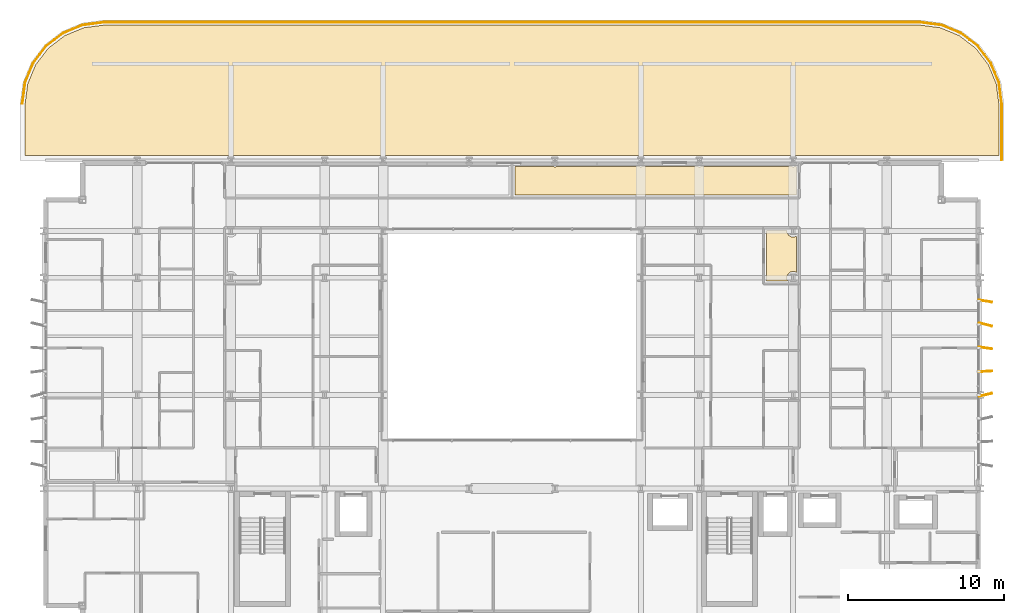
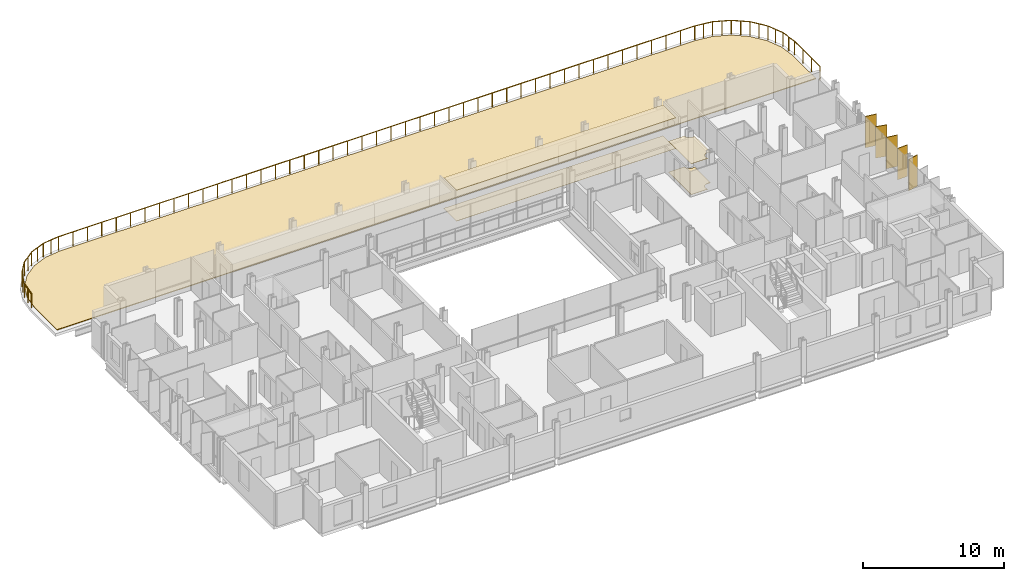
# One storey, part 38 of 38: 5 coverings, 5 shading devices, 1 railing.
"""IFC4 building model written with IfcOpenShell, lengths in metres."""

from ifc_helpers import new_model, si_unit, direction, frame, origin, origin_2d, place, context, subcontext, project, spatial, polyline, rectangle, circle, outline, extrude, material, layer, layer_set, type_object, element, save


model = new_model("IFC4")

# Units and contexts
model_context = context("Model", 3, precision=1e-05, world=origin(), true_north=direction((0.0, 1.0)))
body_context = subcontext(model_context, "Body", "Model", "MODEL_VIEW")
ifc_project = project(units=[si_unit("LENGTHUNIT", "METRE"), si_unit("AREAUNIT", "SQUARE_METRE"), si_unit("VOLUMEUNIT", "CUBIC_METRE"), si_unit("PLANEANGLEUNIT", "RADIAN"), si_unit("MASSUNIT", "GRAM", prefix="KILO")], contexts=[model_context])

# Site, building, storey
site_placement = place(None, origin())
site = spatial("IfcSite", under=ifc_project, at=site_placement, CompositionType="ELEMENT")
building_placement = place(site_placement, origin())
building = spatial("IfcBuilding", under=site, at=building_placement, Name="Brevholm Reach", CompositionType="ELEMENT")
storey_placement = place(building_placement, frame((0.0, 0.0, 28.0)))
storey = spatial("IfcBuildingStorey", under=building, at=storey_placement, Name="L06", CompositionType="ELEMENT", Elevation=28.0)

# Coverings
ifc_material_1 = material(Name="Perforated Mineral-Fibre Class-A Acoustic Suspended Ceiling", Category="gypsum")
ifc_layer_1 = layer(ifc_material_1, 0.044921875)
ifc_layer_set_1 = layer_set([ifc_layer_1], Name="Perforated Mineral-Fibre Class-A Acoustic Suspended Ceiling")
covering_type_1 = type_object("IfcCoveringType", Name="COV-CLG-AC", PredefinedType="CEILING", material=ifc_layer_set_1)
covering_1_placement = place(storey_placement, frame((0.0, 0.0, 2.655029296875)))
element("IfcCovering", 1, at=covering_1_placement, inside=storey, type_object=covering_type_1, Name="L06 Suspended Ceiling L06-72", PredefinedType="CEILING", context=body_context, shape_type="SweptSolid", body=[
    extrude(outline(polyline([(32.626220703125, 30.6201171875), (32.6337890625, 30.6171875), (32.672119140625, 30.607666015625), (32.710693359375, 30.601806640625), (32.75, 30.60009765625), (32.789306640625, 30.601806640625), (32.827880859375, 30.607666015625), (32.8662109375, 30.6171875), (32.873779296875, 30.6201171875), (38.126220703125, 30.6201171875), (38.1337890625, 30.6171875), (38.172119140625, 30.607666015625), (38.210693359375, 30.601806640625), (38.25, 30.60009765625), (38.289306640625, 30.601806640625), (38.327880859375, 30.607666015625), (38.3662109375, 30.6171875), (38.373779296875, 30.6201171875), (41.876220703125, 30.6201171875), (41.8837890625, 30.6171875), (41.922119140625, 30.607666015625), (41.960693359375, 30.601806640625), (42.0, 30.60009765625), (42.039306640625, 30.601806640625), (42.077880859375, 30.607666015625), (42.1162109375, 30.6171875), (42.123779296875, 30.6201171875), (47.876220703125, 30.6201171875), (47.8837890625, 30.6171875), (47.922119140625, 30.607666015625), (47.960693359375, 30.601806640625), (48.0, 30.60009765625), (48.039306640625, 30.601806640625), (48.077880859375, 30.607666015625), (48.1162109375, 30.6171875), (48.123779296875, 30.6201171875), (48.216064453125, 30.6201171875), (48.216064453125, 28.783935546875), (30.18408203125, 28.783935546875), (30.18408203125, 30.6201171875), (32.626220703125, 30.6201171875)])), origin(), (0.0, 0.0, 1.0), 0.044921875),
])
ifc_material_2 = material(Name="Moisture-Resistant Skimmed Gypsum Plasterboard Ceiling", Category="gypsum")
ifc_layer_2 = layer(ifc_material_2, 0.030029296875)
ifc_layer_set_2 = layer_set([ifc_layer_2], Name="Moisture-Resistant Skimmed Gypsum Plasterboard Ceiling")
covering_type_2 = type_object("IfcCoveringType", Name="COV-CLG-GYP", PredefinedType="CEILING", material=ifc_layer_set_2)
covering_2_placement = place(storey_placement, frame((0.0, 0.0, 2.669921875)))
element("IfcCovering", 2, at=covering_2_placement, inside=storey, type_object=covering_type_2, Name="L06 Suspended Ceiling L06-58", PredefinedType="CEILING", context=body_context, shape_type="SweptSolid", body=[
    extrude(outline(polyline([(46.2919921875, 26.51611328125), (47.600830078125, 26.51611328125), (47.60009765625, 26.5), (47.601806640625, 26.460693359375), (47.607666015625, 26.422119140625), (47.6171875, 26.3837890625), (47.63037109375, 26.346923828125), (47.647216796875, 26.311279296875), (47.66748046875, 26.27783203125), (47.69091796875, 26.24609375), (47.71728515625, 26.21728515625), (47.74609375, 26.19091796875), (47.77783203125, 26.16748046875), (47.811279296875, 26.147216796875), (47.846923828125, 26.13037109375), (47.8837890625, 26.1171875), (47.922119140625, 26.107666015625), (47.960693359375, 26.101806640625), (48.0, 26.10009765625), (48.039306640625, 26.101806640625), (48.077880859375, 26.107666015625), (48.1162109375, 26.1171875), (48.153076171875, 26.13037109375), (48.188720703125, 26.147216796875), (48.216064453125, 26.163818359375), (48.216064453125, 23.836181640625), (48.188720703125, 23.852783203125), (48.153076171875, 23.86962890625), (48.1162109375, 23.8828125), (48.077880859375, 23.892333984375), (48.039306640625, 23.898193359375), (48.0, 23.89990234375), (47.960693359375, 23.898193359375), (47.922119140625, 23.892333984375), (47.8837890625, 23.8828125), (47.846923828125, 23.86962890625), (47.811279296875, 23.852783203125), (47.77783203125, 23.83251953125), (47.74609375, 23.80908203125), (47.71728515625, 23.78271484375), (47.69091796875, 23.75390625), (47.66748046875, 23.72216796875), (47.647216796875, 23.688720703125), (47.63037109375, 23.653076171875), (47.6171875, 23.6162109375), (47.607666015625, 23.577880859375), (47.601806640625, 23.539306640625), (47.60009765625, 23.5), (47.601806640625, 23.460693359375), (47.607666015625, 23.422119140625), (47.6171875, 23.3837890625), (47.63037109375, 23.346923828125), (47.647216796875, 23.311279296875), (47.666015625, 23.280029296875), (46.2919921875, 23.280029296875), (46.2919921875, 26.51611328125)])), origin(), (0.0, 0.0, 1.0), 0.030029296875),
])
ifc_material_3 = material(Name="Engineered European Oak Acoustic Plank Flooring", Category="timber")
ifc_layer_3 = layer(ifc_material_3, 0.02197265625)
ifc_layer_set_3 = layer_set([ifc_layer_3], Name="Engineered European Oak Acoustic Plank Flooring")
covering_type_3 = type_object("IfcCoveringType", Name="COV-FLR-OAK", PredefinedType="FLOORING", material=ifc_layer_set_3)
covering_3_placement = place(storey_placement, origin())
element("IfcCovering", 3, at=covering_3_placement, inside=storey, type_object=covering_type_3, Name="L06 Floor Finish L06-58", PredefinedType="FLOORING", context=body_context, shape_type="SweptSolid", body=[
    extrude(outline(polyline([(46.2919921875, 26.51611328125), (47.600830078125, 26.51611328125), (47.60009765625, 26.5), (47.601806640625, 26.460693359375), (47.607666015625, 26.422119140625), (47.6171875, 26.3837890625), (47.63037109375, 26.346923828125), (47.647216796875, 26.311279296875), (47.66748046875, 26.27783203125), (47.69091796875, 26.24609375), (47.71728515625, 26.21728515625), (47.74609375, 26.19091796875), (47.77783203125, 26.16748046875), (47.811279296875, 26.147216796875), (47.846923828125, 26.13037109375), (47.8837890625, 26.1171875), (47.922119140625, 26.107666015625), (47.960693359375, 26.101806640625), (48.0, 26.10009765625), (48.039306640625, 26.101806640625), (48.077880859375, 26.107666015625), (48.1162109375, 26.1171875), (48.153076171875, 26.13037109375), (48.188720703125, 26.147216796875), (48.216064453125, 26.163818359375), (48.216064453125, 23.836181640625), (48.188720703125, 23.852783203125), (48.153076171875, 23.86962890625), (48.1162109375, 23.8828125), (48.077880859375, 23.892333984375), (48.039306640625, 23.898193359375), (48.0, 23.89990234375), (47.960693359375, 23.898193359375), (47.922119140625, 23.892333984375), (47.8837890625, 23.8828125), (47.846923828125, 23.86962890625), (47.811279296875, 23.852783203125), (47.77783203125, 23.83251953125), (47.74609375, 23.80908203125), (47.71728515625, 23.78271484375), (47.69091796875, 23.75390625), (47.66748046875, 23.72216796875), (47.647216796875, 23.688720703125), (47.63037109375, 23.653076171875), (47.6171875, 23.6162109375), (47.607666015625, 23.577880859375), (47.601806640625, 23.539306640625), (47.60009765625, 23.5), (47.601806640625, 23.460693359375), (47.607666015625, 23.422119140625), (47.6171875, 23.3837890625), (47.63037109375, 23.346923828125), (47.647216796875, 23.311279296875), (47.666015625, 23.280029296875), (46.2919921875, 23.280029296875), (46.2919921875, 26.51611328125)])), origin(), (0.0, 0.0, 1.0), 0.02197265625),
])
covering_4_placement = place(storey_placement, origin())
element("IfcCovering", 4, at=covering_4_placement, inside=storey, type_object=covering_type_3, Name="L06 Floor Finish L06-72", PredefinedType="FLOORING", context=body_context, shape_type="SweptSolid", body=[
    extrude(outline(polyline([(32.626220703125, 30.6201171875), (32.6337890625, 30.6171875), (32.672119140625, 30.607666015625), (32.710693359375, 30.601806640625), (32.75, 30.60009765625), (32.789306640625, 30.601806640625), (32.827880859375, 30.607666015625), (32.8662109375, 30.6171875), (32.873779296875, 30.6201171875), (38.126220703125, 30.6201171875), (38.1337890625, 30.6171875), (38.172119140625, 30.607666015625), (38.210693359375, 30.601806640625), (38.25, 30.60009765625), (38.289306640625, 30.601806640625), (38.327880859375, 30.607666015625), (38.3662109375, 30.6171875), (38.373779296875, 30.6201171875), (41.876220703125, 30.6201171875), (41.8837890625, 30.6171875), (41.922119140625, 30.607666015625), (41.960693359375, 30.601806640625), (42.0, 30.60009765625), (42.039306640625, 30.601806640625), (42.077880859375, 30.607666015625), (42.1162109375, 30.6171875), (42.123779296875, 30.6201171875), (47.876220703125, 30.6201171875), (47.8837890625, 30.6171875), (47.922119140625, 30.607666015625), (47.960693359375, 30.601806640625), (48.0, 30.60009765625), (48.039306640625, 30.601806640625), (48.077880859375, 30.607666015625), (48.1162109375, 30.6171875), (48.123779296875, 30.6201171875), (48.216064453125, 30.6201171875), (48.216064453125, 28.783935546875), (30.18408203125, 28.783935546875), (30.18408203125, 30.6201171875), (32.626220703125, 30.6201171875)])), origin(), (0.0, 0.0, 1.0), 0.02197265625),
])
ifc_material_4 = material(Name="SBS Polymer-Modified Bitumen Waterproofing and Paver Membrane", Category="membrane")
ifc_layer_4 = layer(ifc_material_4, 0.06494140625)
ifc_layer_set_4 = layer_set([ifc_layer_4], Name="SBS Polymer-Modified Bitumen Waterproofing and Paver Membrane")
covering_type_4 = type_object("IfcCoveringType", Name="COV-ROF-65", PredefinedType="ROOFING", material=ifc_layer_set_4)
covering_5_placement = place(storey_placement, frame((0.0, 0.0, -0.030029296875)))
element("IfcCovering", 5, at=covering_5_placement, inside=storey, type_object=covering_type_4, Name="L06 Waterproof Terrace Roofing Membrane 3", PredefinedType="ROOFING", context=body_context, shape_type="SweptSolid", body=[
    extrude(outline(polyline([(-1.179931640625, 31.320068359375), (-1.179931640625, 34.5791015625), (-1.004150390625, 35.9140625), (-0.4970703125, 37.138671875), (0.309814453125, 38.190185546875), (1.361328125, 38.9970703125), (2.5859375, 39.504150390625), (3.9208984375, 39.679931640625), (56.0791015625, 39.679931640625), (57.4140625, 39.504150390625), (58.638671875, 38.9970703125), (59.690185546875, 38.190185546875), (60.4970703125, 37.138671875), (61.004150390625, 35.9140625), (61.179931640625, 34.5791015625), (61.179931640625, 31.320068359375), (-1.179931640625, 31.320068359375)])), origin(), (0.0, 0.0, 1.0), 0.06494140625),
])

# Railing
ifc_material_5 = material(Name="Brushed Stainless Steel EN 1.4401 and Laminated Glass", Category="steel")
railing_type = type_object("IfcRailingType", Name="RAL-TERR-1200", PredefinedType="BALUSTRADE", material=ifc_material_5)
railing_placement = place(storey_placement, frame((61.35009765625, 31.050048828125, 0.0)))
element("IfcRailing", 6, at=railing_placement, inside=storey, type_object=railing_type, Name="L06 Guard Balustrade RAL-L06-TERR", PredefinedType="BALUSTRADE", context=body_context, shape_type="SweptSolid", body=[
    extrude(circle(Radius=0.02392578125, at=origin_2d()), frame((0.0, 0.0, 1.17578125), z_axis=(0.0, 1.0, 0.0), x_axis=(-1.0, 0.0, 0.0)), (0.0, 0.0, 1.0), 3.599853515625),
    extrude(circle(Radius=0.02392578125, at=origin_2d()), frame((0.0, 3.599853515625, 1.17578125), z_axis=(-0.130561507967, 0.991440211328, 0.0), x_axis=(-0.991440211328, -0.130561507967, 0.0)), (0.0, 0.0, 1.0), 1.357666015625),
    extrude(circle(Radius=0.02392578125, at=origin_2d()), frame((-0.17724609375, 4.94580078125, 1.17578125), z_axis=(-0.382711820428, 0.92386777328, 0.0), x_axis=(-0.92386777328, -0.382711820428, 0.0)), (0.0, 0.0, 1.0), 1.357421875),
    extrude(circle(Radius=0.02392578125, at=origin_2d()), frame((-0.69677734375, 6.199951171875, 1.17578125), z_axis=(-0.608797726736, 0.793325486746, 0.0), x_axis=(-0.793325486746, -0.608797726736, 0.0)), (0.0, 0.0, 1.0), 1.357421875),
    extrude(circle(Radius=0.02392578125, at=origin_2d()), frame((-1.523193359375, 7.27685546875, 1.17578125), z_axis=(-0.793325486746, 0.608797726736, 0.0), x_axis=(-0.608797726736, -0.793325486746, 0.0)), (0.0, 0.0, 1.0), 1.357421875),
    extrude(circle(Radius=0.02392578125, at=origin_2d()), frame((-2.60009765625, 8.103271484375, 1.17578125), z_axis=(-0.92386777328, 0.382711820428, 0.0), x_axis=(-0.382711820428, -0.92386777328, 0.0)), (0.0, 0.0, 1.0), 1.357421875),
    extrude(circle(Radius=0.02392578125, at=origin_2d()), frame((-3.854248046875, 8.622802734375, 1.17578125), z_axis=(-0.991440211328, 0.130561507967, 0.0), x_axis=(-0.130561507967, -0.991440211328, 0.0)), (0.0, 0.0, 1.0), 1.357666015625),
    extrude(circle(Radius=0.02392578125, at=origin_2d()), frame((-5.2001953125, 8.800048828125, 1.17578125), z_axis=(-1.0, 0.0, 0.0), x_axis=(0.0, -1.0, 0.0)), (0.0, 0.0, 1.0), 52.2998046875),
    extrude(circle(Radius=0.02392578125, at=origin_2d()), frame((-57.5, 8.800048828125, 1.17578125), z_axis=(-0.991440211328, -0.130561507967, 0.0), x_axis=(0.130561507967, -0.991440211328, 0.0)), (0.0, 0.0, 1.0), 1.357666015625),
    extrude(circle(Radius=0.02392578125, at=origin_2d()), frame((-58.845947265625, 8.622802734375, 1.17578125), z_axis=(-0.92386777328, -0.382711820428, 0.0), x_axis=(0.382711820428, -0.92386777328, 0.0)), (0.0, 0.0, 1.0), 1.357421875),
    extrude(circle(Radius=0.02392578125, at=origin_2d()), frame((-60.10009765625, 8.103271484375, 1.17578125), z_axis=(-0.793325486746, -0.608797726736, 0.0), x_axis=(0.608797726736, -0.793325486746, 0.0)), (0.0, 0.0, 1.0), 1.357421875),
    extrude(circle(Radius=0.02392578125, at=origin_2d()), frame((-61.177001953125, 7.27685546875, 1.17578125), z_axis=(-0.608797726736, -0.793325486746, 0.0), x_axis=(0.793325486746, -0.608797726736, 0.0)), (0.0, 0.0, 1.0), 1.357421875),
    extrude(circle(Radius=0.02392578125, at=origin_2d()), frame((-62.00341796875, 6.199951171875, 1.17578125), z_axis=(-0.382711820428, -0.92386777328, 0.0), x_axis=(0.92386777328, -0.382711820428, 0.0)), (0.0, 0.0, 1.0), 1.357421875),
    extrude(circle(Radius=0.02392578125, at=origin_2d()), frame((-62.52294921875, 4.94580078125, 1.17578125), z_axis=(-0.130561507967, -0.991440211328, 0.0), x_axis=(0.991440211328, -0.130561507967, 0.0)), (0.0, 0.0, 1.0), 1.357666015625),
    extrude(circle(Radius=0.02099609375, at=origin_2d()), origin(), (0.0, 0.0, 1.0), 1.15185546875),
    extrude(circle(Radius=0.02099609375, at=origin_2d()), frame((0.0, 1.199951171875, 0.0)), (0.0, 0.0, 1.0), 1.15185546875),
    extrude(circle(Radius=0.02099609375, at=origin_2d()), frame((0.0, 2.39990234375, 0.0)), (0.0, 0.0, 1.0), 1.15185546875),
    extrude(circle(Radius=0.02099609375, at=origin_2d()), frame((0.0, 3.599853515625, 0.0)), (0.0, 0.0, 1.0), 1.15185546875),
    extrude(circle(Radius=0.02099609375, at=origin_2d()), frame((-0.088623046875, 4.27294921875, 0.0)), (0.0, 0.0, 1.0), 1.15185546875),
    extrude(circle(Radius=0.02099609375, at=origin_2d()), frame((-0.17724609375, 4.94580078125, 0.0)), (0.0, 0.0, 1.0), 1.15185546875),
    extrude(circle(Radius=0.02099609375, at=origin_2d()), frame((-0.43701171875, 5.57275390625, 0.0)), (0.0, 0.0, 1.0), 1.15185546875),
    extrude(circle(Radius=0.02099609375, at=origin_2d()), frame((-0.69677734375, 6.199951171875, 0.0)), (0.0, 0.0, 1.0), 1.15185546875),
    extrude(circle(Radius=0.02099609375, at=origin_2d()), frame((-1.10986328125, 6.73828125, 0.0)), (0.0, 0.0, 1.0), 1.15185546875),
    extrude(circle(Radius=0.02099609375, at=origin_2d()), frame((-1.523193359375, 7.27685546875, 0.0)), (0.0, 0.0, 1.0), 1.15185546875),
    extrude(circle(Radius=0.02099609375, at=origin_2d()), frame((-2.0615234375, 7.68994140625, 0.0)), (0.0, 0.0, 1.0), 1.15185546875),
    extrude(circle(Radius=0.02099609375, at=origin_2d()), frame((-2.60009765625, 8.103271484375, 0.0)), (0.0, 0.0, 1.0), 1.15185546875),
    extrude(circle(Radius=0.02099609375, at=origin_2d()), frame((-3.22705078125, 8.363037109375, 0.0)), (0.0, 0.0, 1.0), 1.15185546875),
    extrude(circle(Radius=0.02099609375, at=origin_2d()), frame((-3.854248046875, 8.622802734375, 0.0)), (0.0, 0.0, 1.0), 1.15185546875),
    extrude(circle(Radius=0.02099609375, at=origin_2d()), frame((-4.52734375, 8.71142578125, 0.0)), (0.0, 0.0, 1.0), 1.15185546875),
    extrude(circle(Radius=0.02099609375, at=origin_2d()), frame((-5.2001953125, 8.800048828125, 0.0)), (0.0, 0.0, 1.0), 1.15185546875),
    extrude(circle(Radius=0.02099609375, at=origin_2d()), frame((-6.388916015625, 8.800048828125, 0.0)), (0.0, 0.0, 1.0), 1.15185546875),
    extrude(circle(Radius=0.02099609375, at=origin_2d()), frame((-7.577392578125, 8.800048828125, 0.0)), (0.0, 0.0, 1.0), 1.15185546875),
    extrude(circle(Radius=0.02099609375, at=origin_2d()), frame((-8.76611328125, 8.800048828125, 0.0)), (0.0, 0.0, 1.0), 1.15185546875),
    extrude(circle(Radius=0.02099609375, at=origin_2d()), frame((-9.954833984375, 8.800048828125, 0.0)), (0.0, 0.0, 1.0), 1.15185546875),
    extrude(circle(Radius=0.02099609375, at=origin_2d()), frame((-11.143310546875, 8.800048828125, 0.0)), (0.0, 0.0, 1.0), 1.15185546875),
    extrude(circle(Radius=0.02099609375, at=origin_2d()), frame((-12.33203125, 8.800048828125, 0.0)), (0.0, 0.0, 1.0), 1.15185546875),
    extrude(circle(Radius=0.02099609375, at=origin_2d()), frame((-13.5205078125, 8.800048828125, 0.0)), (0.0, 0.0, 1.0), 1.15185546875),
    extrude(circle(Radius=0.02099609375, at=origin_2d()), frame((-14.709228515625, 8.800048828125, 0.0)), (0.0, 0.0, 1.0), 1.15185546875),
    extrude(circle(Radius=0.02099609375, at=origin_2d()), frame((-15.89794921875, 8.800048828125, 0.0)), (0.0, 0.0, 1.0), 1.15185546875),
    extrude(circle(Radius=0.02099609375, at=origin_2d()), frame((-17.08642578125, 8.800048828125, 0.0)), (0.0, 0.0, 1.0), 1.15185546875),
    extrude(circle(Radius=0.02099609375, at=origin_2d()), frame((-18.275146484375, 8.800048828125, 0.0)), (0.0, 0.0, 1.0), 1.15185546875),
    extrude(circle(Radius=0.02099609375, at=origin_2d()), frame((-19.4638671875, 8.800048828125, 0.0)), (0.0, 0.0, 1.0), 1.15185546875),
    extrude(circle(Radius=0.02099609375, at=origin_2d()), frame((-20.65234375, 8.800048828125, 0.0)), (0.0, 0.0, 1.0), 1.15185546875),
    extrude(circle(Radius=0.02099609375, at=origin_2d()), frame((-21.841064453125, 8.800048828125, 0.0)), (0.0, 0.0, 1.0), 1.15185546875),
    extrude(circle(Radius=0.02099609375, at=origin_2d()), frame((-23.02978515625, 8.800048828125, 0.0)), (0.0, 0.0, 1.0), 1.15185546875),
    extrude(circle(Radius=0.02099609375, at=origin_2d()), frame((-24.21826171875, 8.800048828125, 0.0)), (0.0, 0.0, 1.0), 1.15185546875),
    extrude(circle(Radius=0.02099609375, at=origin_2d()), frame((-25.406982421875, 8.800048828125, 0.0)), (0.0, 0.0, 1.0), 1.15185546875),
    extrude(circle(Radius=0.02099609375, at=origin_2d()), frame((-26.595458984375, 8.800048828125, 0.0)), (0.0, 0.0, 1.0), 1.15185546875),
    extrude(circle(Radius=0.02099609375, at=origin_2d()), frame((-27.7841796875, 8.800048828125, 0.0)), (0.0, 0.0, 1.0), 1.15185546875),
    extrude(circle(Radius=0.02099609375, at=origin_2d()), frame((-28.972900390625, 8.800048828125, 0.0)), (0.0, 0.0, 1.0), 1.15185546875),
    extrude(circle(Radius=0.02099609375, at=origin_2d()), frame((-30.161376953125, 8.800048828125, 0.0)), (0.0, 0.0, 1.0), 1.15185546875),
    extrude(circle(Radius=0.02099609375, at=origin_2d()), frame((-31.35009765625, 8.800048828125, 0.0)), (0.0, 0.0, 1.0), 1.15185546875),
    extrude(circle(Radius=0.02099609375, at=origin_2d()), frame((-32.538818359375, 8.800048828125, 0.0)), (0.0, 0.0, 1.0), 1.15185546875),
    extrude(circle(Radius=0.02099609375, at=origin_2d()), frame((-33.727294921875, 8.800048828125, 0.0)), (0.0, 0.0, 1.0), 1.15185546875),
    extrude(circle(Radius=0.02099609375, at=origin_2d()), frame((-34.916015625, 8.800048828125, 0.0)), (0.0, 0.0, 1.0), 1.15185546875),
    extrude(circle(Radius=0.02099609375, at=origin_2d()), frame((-36.104736328125, 8.800048828125, 0.0)), (0.0, 0.0, 1.0), 1.15185546875),
    extrude(circle(Radius=0.02099609375, at=origin_2d()), frame((-37.293212890625, 8.800048828125, 0.0)), (0.0, 0.0, 1.0), 1.15185546875),
    extrude(circle(Radius=0.02099609375, at=origin_2d()), frame((-38.48193359375, 8.800048828125, 0.0)), (0.0, 0.0, 1.0), 1.15185546875),
    extrude(circle(Radius=0.02099609375, at=origin_2d()), frame((-39.67041015625, 8.800048828125, 0.0)), (0.0, 0.0, 1.0), 1.15185546875),
    extrude(circle(Radius=0.02099609375, at=origin_2d()), frame((-40.859130859375, 8.800048828125, 0.0)), (0.0, 0.0, 1.0), 1.15185546875),
    extrude(circle(Radius=0.02099609375, at=origin_2d()), frame((-42.0478515625, 8.800048828125, 0.0)), (0.0, 0.0, 1.0), 1.15185546875),
    extrude(circle(Radius=0.02099609375, at=origin_2d()), frame((-43.236328125, 8.800048828125, 0.0)), (0.0, 0.0, 1.0), 1.15185546875),
    extrude(circle(Radius=0.02099609375, at=origin_2d()), frame((-44.425048828125, 8.800048828125, 0.0)), (0.0, 0.0, 1.0), 1.15185546875),
    extrude(circle(Radius=0.02099609375, at=origin_2d()), frame((-45.61376953125, 8.800048828125, 0.0)), (0.0, 0.0, 1.0), 1.15185546875),
    extrude(circle(Radius=0.02099609375, at=origin_2d()), frame((-46.80224609375, 8.800048828125, 0.0)), (0.0, 0.0, 1.0), 1.15185546875),
    extrude(circle(Radius=0.02099609375, at=origin_2d()), frame((-47.990966796875, 8.800048828125, 0.0)), (0.0, 0.0, 1.0), 1.15185546875),
    extrude(circle(Radius=0.02099609375, at=origin_2d()), frame((-49.1796875, 8.800048828125, 0.0)), (0.0, 0.0, 1.0), 1.15185546875),
    extrude(circle(Radius=0.02099609375, at=origin_2d()), frame((-50.3681640625, 8.800048828125, 0.0)), (0.0, 0.0, 1.0), 1.15185546875),
    extrude(circle(Radius=0.02099609375, at=origin_2d()), frame((-51.556884765625, 8.800048828125, 0.0)), (0.0, 0.0, 1.0), 1.15185546875),
    extrude(circle(Radius=0.02099609375, at=origin_2d()), frame((-52.745361328125, 8.800048828125, 0.0)), (0.0, 0.0, 1.0), 1.15185546875),
    extrude(circle(Radius=0.02099609375, at=origin_2d()), frame((-53.93408203125, 8.800048828125, 0.0)), (0.0, 0.0, 1.0), 1.15185546875),
    extrude(circle(Radius=0.02099609375, at=origin_2d()), frame((-55.122802734375, 8.800048828125, 0.0)), (0.0, 0.0, 1.0), 1.15185546875),
    extrude(circle(Radius=0.02099609375, at=origin_2d()), frame((-56.311279296875, 8.800048828125, 0.0)), (0.0, 0.0, 1.0), 1.15185546875),
    extrude(circle(Radius=0.02099609375, at=origin_2d()), frame((-57.5, 8.800048828125, 0.0)), (0.0, 0.0, 1.0), 1.15185546875),
    extrude(circle(Radius=0.02099609375, at=origin_2d()), frame((-58.1728515625, 8.71142578125, 0.0)), (0.0, 0.0, 1.0), 1.15185546875),
    extrude(circle(Radius=0.02099609375, at=origin_2d()), frame((-58.845947265625, 8.622802734375, 0.0)), (0.0, 0.0, 1.0), 1.15185546875),
    extrude(circle(Radius=0.02099609375, at=origin_2d()), frame((-59.47314453125, 8.363037109375, 0.0)), (0.0, 0.0, 1.0), 1.15185546875),
    extrude(circle(Radius=0.02099609375, at=origin_2d()), frame((-60.10009765625, 8.103271484375, 0.0)), (0.0, 0.0, 1.0), 1.15185546875),
    extrude(circle(Radius=0.02099609375, at=origin_2d()), frame((-60.638671875, 7.68994140625, 0.0)), (0.0, 0.0, 1.0), 1.15185546875),
    extrude(circle(Radius=0.02099609375, at=origin_2d()), frame((-61.177001953125, 7.27685546875, 0.0)), (0.0, 0.0, 1.0), 1.15185546875),
    extrude(circle(Radius=0.02099609375, at=origin_2d()), frame((-61.59033203125, 6.73828125, 0.0)), (0.0, 0.0, 1.0), 1.15185546875),
    extrude(circle(Radius=0.02099609375, at=origin_2d()), frame((-62.00341796875, 6.199951171875, 0.0)), (0.0, 0.0, 1.0), 1.15185546875),
    extrude(circle(Radius=0.02099609375, at=origin_2d()), frame((-62.26318359375, 5.57275390625, 0.0)), (0.0, 0.0, 1.0), 1.15185546875),
    extrude(circle(Radius=0.02099609375, at=origin_2d()), frame((-62.52294921875, 4.94580078125, 0.0)), (0.0, 0.0, 1.0), 1.15185546875),
    extrude(circle(Radius=0.02099609375, at=origin_2d()), frame((-62.611572265625, 4.27294921875, 0.0)), (0.0, 0.0, 1.0), 1.15185546875),
    extrude(circle(Radius=0.02099609375, at=origin_2d()), frame((-62.7001953125, 3.599853515625, 0.0)), (0.0, 0.0, 1.0), 1.15185546875),
])

# Shading devices
ifc_material_6 = material(Name="Perforated Champagne-Bronze Anodised Aluminium", Category="aluminium")
ifc_layer_5 = layer(ifc_material_6, 0.054931640625)
ifc_layer_set_5 = layer_set([ifc_layer_5], Name="Perforated Champagne-Bronze Anodised Aluminium")
shading_device_type = type_object("IfcShadingDeviceType", Name="SHD-FIN-850", PredefinedType="USERDEFINED", material=ifc_layer_set_5)
for number, where, z_axis, x_axis, name in (
    (7, (60.31494140625, 16.0, 0.070068359375), (0.0, 0.0, 1.0), (0.975446213426, 0.220237791293, 0.0), "L06 Perforated Solar Screen Fin 4"),
    (8, (60.31494140625, 17.5, 0.070068359375), (0.0, 0.0, 1.0), (0.998274845273, 0.05871399573, 0.0), "L06 Perforated Solar Screen Fin 5"),
    (9, (60.31494140625, 19.0, 0.070068359375), (0.0, 0.0, 1.0), (0.988948687751, -0.148258197058, 0.0), "L06 Perforated Solar Screen Fin 6"),
    (10, (60.31494140625, 20.5, 0.070068359375), (0.0, 0.0, 1.0), (0.970304170352, -0.241888025742, 0.0), "L06 Perforated Solar Screen Fin 7"),
    (11, (60.31494140625, 22.0, 0.070068359375), (0.0, 0.0, 1.0), (0.98788143326, -0.155210417885, 0.0), "L06 Perforated Solar Screen Fin 8"),
):
    element("IfcShadingDevice", number, at=place(storey_placement, frame(where, z_axis=z_axis, x_axis=x_axis)), inside=storey, type_object=shading_device_type, Name=name, ObjectType="SCREEN", PredefinedType="USERDEFINED", context=body_context, shape_type="SweptSolid", body=[
        extrude(rectangle(XDim=0.85009765625, YDim=0.054931640625, at=origin_2d()), origin(), (0.0, 0.0, 1.0), 2.72998046875),
    ])

save(model, "model.ifc")
